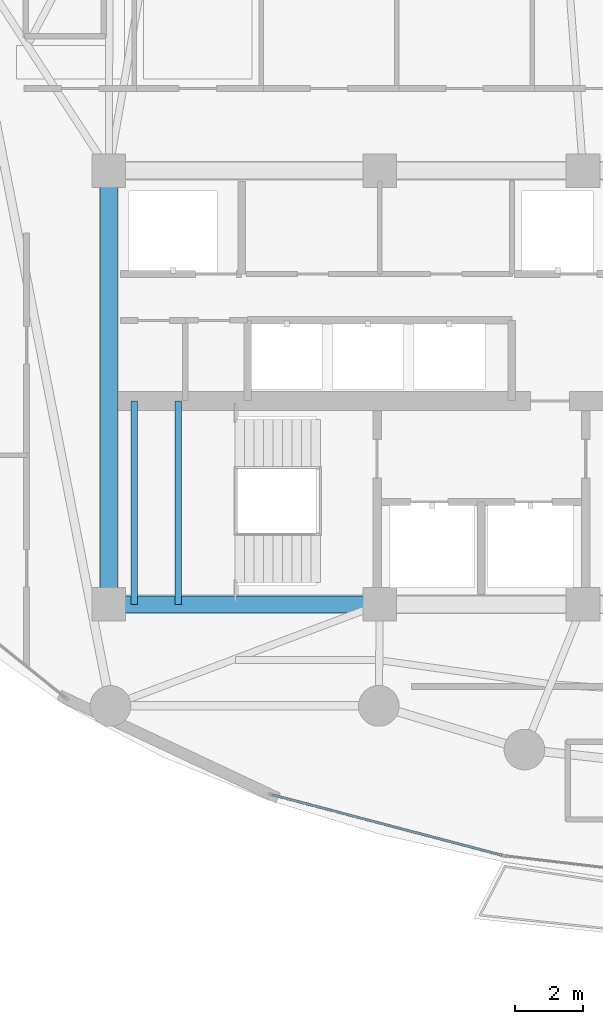
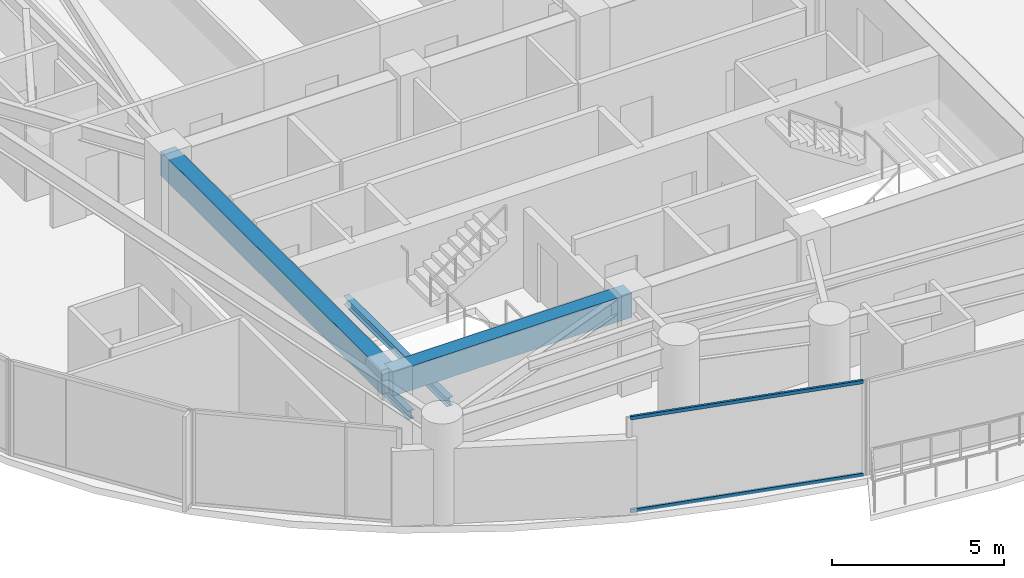
# One storey, part 4 of 33: 4 beams, 2 members, 1 element without a shape of its own.
"""IFC4 building model written with IfcOpenShell, lengths in metres."""

from ifc_helpers import new_model, si_unit, direction, frame, origin, origin_2d, place, context, subcontext, project, spatial, rectangle, hollow_rectangle, i_section, extrude, material, layer, layer_set, material_profile, profile_set, type_object, element, aggregate, save


model = new_model("IFC4")

# Units and contexts
model_context = context("Model", 3, precision=1e-05, world=origin(), true_north=direction((0.0, 1.0)))
body_context = subcontext(model_context, "Body", "Model", "MODEL_VIEW")
ifc_project = project(units=[si_unit("LENGTHUNIT", "METRE"), si_unit("AREAUNIT", "SQUARE_METRE"), si_unit("VOLUMEUNIT", "CUBIC_METRE"), si_unit("PLANEANGLEUNIT", "RADIAN"), si_unit("MASSUNIT", "GRAM", prefix="KILO")], contexts=[model_context])

# Site, building, storey
site_placement = place(None, origin())
site = spatial("IfcSite", under=ifc_project, at=site_placement, CompositionType="ELEMENT")
building_placement = place(site_placement, origin())
building = spatial("IfcBuilding", under=site, at=building_placement, Name="Kazevale Care Tower and Concert Hall", CompositionType="ELEMENT")
storey_placement = place(building_placement, frame((0.0, 0.0, 145.800048828125)))
storey = spatial("IfcBuildingStorey", under=building, at=storey_placement, Name="L38", CompositionType="ELEMENT", Elevation=145.800048828125)

# Curtain wall, members
ifc_material_1 = material(Name="Aluminium 6063-T6 and Low-E Glass", Category="aluminium")
ifc_layer = layer(ifc_material_1, 0.179931640625)
ifc_layer_set = layer_set([ifc_layer], Name="Aluminium 6063-T6 and Low-E Glass")
curtain_wall_type = type_object("IfcCurtainWallType", Name="Sheltered Concave Balcony Curtain Wall CW-5", PredefinedType="NOTDEFINED", material=ifc_layer_set)
curtain_wall_placement = place(storey_placement, origin())
curtain_wall = element("IfcCurtainWall", 1, at=curtain_wall_placement, inside=storey, type_object=curtain_wall_type, Name="cw:L38:f08", PredefinedType="NOTDEFINED")
ifc_material_2 = material(Name="Aluminium 6063-T6", Category="aluminium")
ifc_material_profile_1 = material_profile(ifc_material_2, hollow_rectangle(XDim=0.074951171875, YDim=0.1201171875, WallThickness=0.00390625, at=origin_2d()), Name="ALU75x120x4")
ifc_profile_set_1 = profile_set([ifc_material_profile_1], Name="Aluminium 6063-T6")
member_type = type_object("IfcMemberType", Name="CW-5 Transom ALU75x120x4", PredefinedType="USERDEFINED", material=ifc_profile_set_1)
member_1_placement = place(storey_placement, frame((33.598388671875, 16.193115234375, 0.037353515625), z_axis=(-0.967142752699, 0.254233939321, 0.0), x_axis=(-0.254233939321, -0.967142752699, 0.0)))
member_1 = element("IfcMember", 2, at=member_1_placement, type_object=member_type, Name="CW-5 transom 1.1", ObjectType="TRANSOM", PredefinedType="USERDEFINED", context=body_context, shape_type="SweptSolid", body=[
    extrude(hollow_rectangle(XDim=0.074951171875, YDim=0.1201171875, WallThickness=0.00390625, at=origin_2d()), origin(), (0.0, 0.0, 1.0), 6.996826171875),
])
member_2_placement = place(storey_placement, frame((33.598388671875, 16.193115234375, 3.322509765625), z_axis=(-0.967142752699, 0.254233939321, 0.0), x_axis=(-0.254233939321, -0.967142752699, 0.0)))
member_2 = element("IfcMember", 3, at=member_2_placement, type_object=member_type, Name="CW-5 transom 1.2", ObjectType="TRANSOM", PredefinedType="USERDEFINED", context=body_context, shape_type="SweptSolid", body=[
    extrude(hollow_rectangle(XDim=0.074951171875, YDim=0.1201171875, WallThickness=0.00390625, at=origin_2d()), origin(), (0.0, 0.0, 1.0), 6.996826171875),
])
aggregate(curtain_wall, [member_1, member_2])

# Beams
ifc_material_3 = material(Name="Concrete C60", Category="concrete")
ifc_material_profile_2 = material_profile(ifc_material_3, rectangle(XDim=0.5, YDim=0.85009765625, at=origin_2d()), Name="RC-B500x850")
ifc_profile_set_2 = profile_set([ifc_material_profile_2], Name="Concrete C60")
beam_type_1 = type_object("IfcBeamType", Name="Core Coupling Beam RC500x850", PredefinedType="LINTEL", material=ifc_profile_set_2)
beam_1_placement = place(storey_placement, frame((22.0, 23.60009765625, 2.93505859375), z_axis=(1.0, 0.0, 0.0), x_axis=(0.0, 1.0, 0.0)))
element("IfcBeam", 4, at=beam_1_placement, inside=storey, type_object=beam_type_1, Name="beam:L38:coretie:1", PredefinedType="LINTEL", context=body_context, shape_type="SweptSolid", body=[
    extrude(rectangle(XDim=0.5, YDim=0.85009765625, at=origin_2d()), origin(), (0.0, 0.0, 1.0), 8.0),
])
beam_2_placement = place(storey_placement, frame((22.0, 36.39990234375, 2.93505859375), z_axis=(0.0, -1.0, 0.0), x_axis=(1.0, 0.0, 0.0)))
element("IfcBeam", 5, at=beam_2_placement, inside=storey, type_object=beam_type_1, Name="beam:L38:coretie:8", PredefinedType="LINTEL", context=body_context, shape_type="SweptSolid", body=[
    extrude(rectangle(XDim=0.5, YDim=0.85009765625, at=origin_2d()), origin(), (0.0, 0.0, 1.0), 12.7998046875),
])
ifc_material_4 = material(Name="Steel ASTM A572 Gr 50", Category="steel")
ifc_material_profile_3 = material_profile(ifc_material_4, i_section(OverallWidth=0.202880859375, OverallDepth=0.302978515625, WebThickness=0.007568359375, FlangeThickness=0.01318359375, at=origin_2d()), Name="W310x60")
ifc_profile_set_3 = profile_set([ifc_material_profile_3], Name="Steel ASTM A572 Gr 50")
beam_type_2 = type_object("IfcBeamType", Name="Stair & Balcony Trimmer W310x60", PredefinedType="BEAM", material=ifc_profile_set_3)
for number, where, z_axis, x_axis, name in (
    (6, (22.75, 23.60009765625, 1.448486328125), (0.0, 1.0, 0.0), (-1.0, 0.0, 0.0), "beam:L38:sttrim:ST1"),
    (7, (24.050048828125, 23.60009765625, 1.448486328125), (0.0, 1.0, 0.0), (-1.0, 0.0, 0.0), "beam:L38:sttrim:ST1b"),
):
    element("IfcBeam", number, at=place(storey_placement, frame(where, z_axis=z_axis, x_axis=x_axis)), inside=storey, type_object=beam_type_2, Name=name, PredefinedType="BEAM", context=body_context, shape_type="SweptSolid", body=[
        extrude(i_section(OverallWidth=0.202880859375, OverallDepth=0.302978515625, WebThickness=0.007568359375, FlangeThickness=0.01318359375, at=origin_2d()), origin(), (0.0, 0.0, 1.0), 6.0),
    ])

save(model, "model.ifc")
